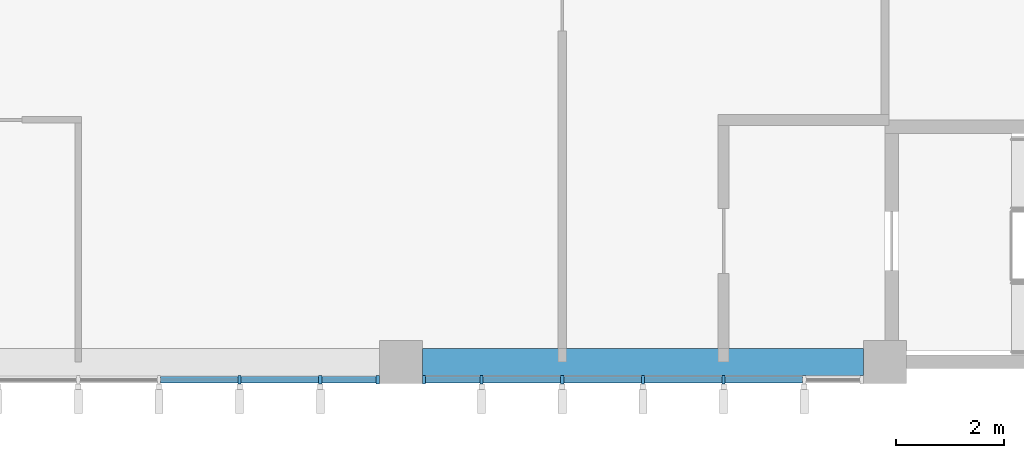
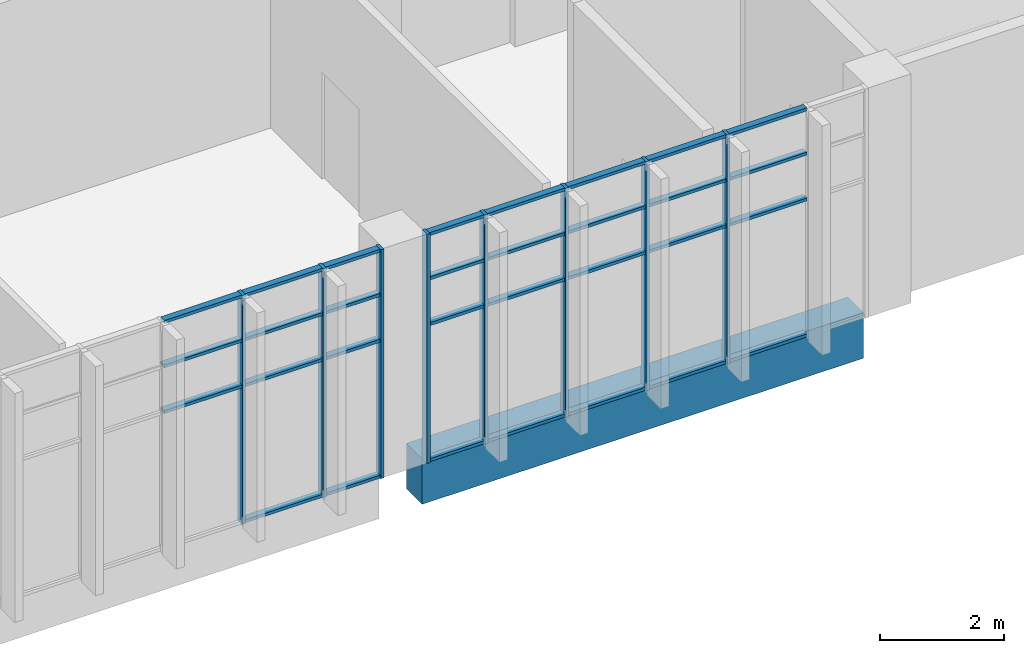
# One storey, part 20 of 43: 39 members, 1 beam, 2 elements without a shape of their own.
"""IFC4 building model written with IfcOpenShell, lengths in metres."""

from ifc_helpers import new_model, si_unit, direction, frame, origin, origin_2d, place, context, subcontext, project, spatial, rectangle, extrude, material, layer, layer_set, material_profile, profile_set, type_object, element, aggregate, save


model = new_model("IFC4")

# Units and contexts
model_context = context("Model", 3, precision=1e-05, world=origin(), true_north=direction((0.0, 1.0)))
body_context = subcontext(model_context, "Body", "Model", "MODEL_VIEW")
ifc_project = project(units=[si_unit("LENGTHUNIT", "METRE"), si_unit("AREAUNIT", "SQUARE_METRE"), si_unit("VOLUMEUNIT", "CUBIC_METRE"), si_unit("PLANEANGLEUNIT", "RADIAN"), si_unit("MASSUNIT", "GRAM", prefix="KILO")], contexts=[model_context])

# Site, building, storey
site_placement = place(None, origin())
site = spatial("IfcSite", under=ifc_project, at=site_placement, CompositionType="ELEMENT")
building_placement = place(site_placement, origin())
building = spatial("IfcBuilding", under=site, at=building_placement, Name="Guidao Yard Department Store", CompositionType="ELEMENT")
storey_placement = place(building_placement, frame((0.0, 0.0, 28.5)))
storey = spatial("IfcBuildingStorey", under=building, at=storey_placement, Name="L06", CompositionType="ELEMENT", Elevation=28.5)

# Curtain wall, members
ifc_material_1 = material(Name="Aluminium and glass", Category="aluminium")
ifc_layer = layer(ifc_material_1, 0.159912109375)
ifc_layer_set = layer_set([ifc_layer], Name="Unitised curtain wall CW4 1500 module")
curtain_wall_type = type_object("IfcCurtainWallType", Name="Unitised curtain wall CW4 1500 module", PredefinedType="NOTDEFINED", material=ifc_layer_set)
curtain_wall_1_placement = place(storey_placement, origin())
curtain_wall_1 = element("IfcCurtainWall", 1, at=curtain_wall_1_placement, inside=storey, type_object=curtain_wall_type, Name="Unitised curtain wall", PredefinedType="NOTDEFINED")
ifc_material_2 = material(Name="Aluminium 6063-T5", Category="aluminium")
ifc_material_profile_1 = material_profile(ifc_material_2, rectangle(XDim=0.06005859375, YDim=0.159912109375, at=origin_2d()), Name="Mullion M1 60 x 160 aluminium pressure plate")
ifc_profile_set_1 = profile_set([ifc_material_profile_1], Name="Aluminium 6063-T5")
member_type_1 = type_object("IfcMemberType", Name="Mullion M1 60 x 160 aluminium pressure plate", PredefinedType="MULLION", material=ifc_profile_set_1)
member_1_placement = place(storey_placement, frame((150.0, -0.330078125, 0.0), z_axis=(0.0, 0.0, 1.0), x_axis=(-1.0, 0.0, 0.0)))
member_1 = element("IfcMember", 2, at=member_1_placement, type_object=member_type_1, Name="CW-OW-L06-03 mullion 5", PredefinedType="MULLION", context=body_context, shape_type="SweptSolid", body=[
    extrude(rectangle(XDim=0.06005859375, YDim=0.159912109375, at=origin_2d()), origin(), (0.0, 0.0, 1.0), 4.5),
])
member_2_placement = place(storey_placement, frame((151.5, -0.330078125, 0.0), z_axis=(0.0, 0.0, 1.0), x_axis=(-1.0, 0.0, 0.0)))
member_2 = element("IfcMember", 3, at=member_2_placement, type_object=member_type_1, Name="CW-OW-L06-03 mullion 6", PredefinedType="MULLION", context=body_context, shape_type="SweptSolid", body=[
    extrude(rectangle(XDim=0.06005859375, YDim=0.159912109375, at=origin_2d()), origin(), (0.0, 0.0, 1.0), 4.5),
])
member_3_placement = place(storey_placement, frame((152.570068359375, -0.330078125, 0.0), z_axis=(0.0, 0.0, 1.0), x_axis=(-1.0, 0.0, 0.0)))
member_3 = element("IfcMember", 4, at=member_3_placement, type_object=member_type_1, Name="CW-OW-L06-03 mullion 7", PredefinedType="MULLION", context=body_context, shape_type="SweptSolid", body=[
    extrude(rectangle(XDim=0.06005859375, YDim=0.159912109375, at=origin_2d()), origin(), (0.0, 0.0, 1.0), 4.5),
])

curtain_wall_2_placement = place(storey_placement, origin())
curtain_wall_2 = element("IfcCurtainWall", 5, at=curtain_wall_2_placement, inside=storey, type_object=curtain_wall_type, Name="Unitised curtain wall", PredefinedType="NOTDEFINED")
member_4_placement = place(storey_placement, frame((153.429931640625, -0.330078125, 0.0), z_axis=(0.0, 0.0, 1.0), x_axis=(-1.0, 0.0, 0.0)))
member_4 = element("IfcMember", 6, at=member_4_placement, type_object=member_type_1, Name="CW-OW-L06-04 mullion 1", PredefinedType="MULLION", context=body_context, shape_type="SweptSolid", body=[
    extrude(rectangle(XDim=0.06005859375, YDim=0.159912109375, at=origin_2d()), origin(), (0.0, 0.0, 1.0), 4.5),
])
member_5_placement = place(storey_placement, frame((154.5, -0.330078125, 0.0), z_axis=(0.0, 0.0, 1.0), x_axis=(-1.0, 0.0, 0.0)))
member_5 = element("IfcMember", 7, at=member_5_placement, type_object=member_type_1, Name="CW-OW-L06-04 mullion 2", PredefinedType="MULLION", context=body_context, shape_type="SweptSolid", body=[
    extrude(rectangle(XDim=0.06005859375, YDim=0.159912109375, at=origin_2d()), origin(), (0.0, 0.0, 1.0), 4.5),
])
member_6_placement = place(storey_placement, frame((156.0, -0.330078125, 0.0), z_axis=(0.0, 0.0, 1.0), x_axis=(-1.0, 0.0, 0.0)))
member_6 = element("IfcMember", 8, at=member_6_placement, type_object=member_type_1, Name="CW-OW-L06-04 mullion 3", PredefinedType="MULLION", context=body_context, shape_type="SweptSolid", body=[
    extrude(rectangle(XDim=0.06005859375, YDim=0.159912109375, at=origin_2d()), origin(), (0.0, 0.0, 1.0), 4.5),
])
member_7_placement = place(storey_placement, frame((157.5, -0.330078125, 0.0), z_axis=(0.0, 0.0, 1.0), x_axis=(-1.0, 0.0, 0.0)))
member_7 = element("IfcMember", 9, at=member_7_placement, type_object=member_type_1, Name="CW-OW-L06-04 mullion 4", PredefinedType="MULLION", context=body_context, shape_type="SweptSolid", body=[
    extrude(rectangle(XDim=0.06005859375, YDim=0.159912109375, at=origin_2d()), origin(), (0.0, 0.0, 1.0), 4.5),
])
member_8_placement = place(storey_placement, frame((159.0, -0.330078125, 0.0), z_axis=(0.0, 0.0, 1.0), x_axis=(-1.0, 0.0, 0.0)))
member_8 = element("IfcMember", 10, at=member_8_placement, type_object=member_type_1, Name="CW-OW-L06-04 mullion 5", PredefinedType="MULLION", context=body_context, shape_type="SweptSolid", body=[
    extrude(rectangle(XDim=0.06005859375, YDim=0.159912109375, at=origin_2d()), origin(), (0.0, 0.0, 1.0), 4.5),
])

# Beam
ifc_material_3 = material(Name="Concrete C40", Category="concrete")
ifc_material_profile_2 = material_profile(ifc_material_3, rectangle(XDim=0.5, YDim=0.89990234375, at=origin_2d()), Name="Spandrel beam 500 x 900 C40")
ifc_profile_set_2 = profile_set([ifc_material_profile_2], Name="Concrete C40")
beam_type = type_object("IfcBeamType", Name="Spandrel beam 500 x 900 C40", PredefinedType="SPANDREL", material=ifc_profile_set_2)
beam_placement = place(storey_placement, frame((153.39990234375, 0.0, -0.449951171875), z_axis=(1.0, 0.0, 0.0), x_axis=(0.0, 1.0, 0.0)))
element("IfcBeam", 11, at=beam_placement, inside=storey, type_object=beam_type, Name="Beam FB03", PredefinedType="SPANDREL", context=body_context, shape_type="SweptSolid", body=[
    extrude(rectangle(XDim=0.5, YDim=0.89990234375, at=origin_2d()), origin(), (0.0, 0.0, 1.0), 8.2001953125),
])

# Member
ifc_material_4 = material(Name="Aluminium 6063-T5", Category="aluminium")
ifc_material_profile_3 = material_profile(ifc_material_4, rectangle(XDim=0.1201171875, YDim=0.06005859375, at=origin_2d()), Name="Transom T1 60 x 120 aluminium pressure plate")
ifc_profile_set_3 = profile_set([ifc_material_profile_3], Name="Aluminium 6063-T5")
member_type_2 = type_object("IfcMemberType", Name="Transom T1 60 x 120 aluminium pressure plate", PredefinedType="USERDEFINED", material=ifc_profile_set_3)
member_9_placement = place(storey_placement, frame((149.969970703125, -0.330078125, 2.699951171875), z_axis=(-1.0, 0.0, 0.0), x_axis=(0.0, -1.0, 0.0)))
member_9 = element("IfcMember", 12, at=member_9_placement, type_object=member_type_2, Name="CW-OW-L06-03 transom 4.2", ObjectType="TRANSOM", PredefinedType="USERDEFINED", context=body_context, shape_type="SweptSolid", body=[
    extrude(rectangle(XDim=0.1201171875, YDim=0.06005859375, at=origin_2d()), origin(), (0.0, 0.0, 1.0), 1.43994140625),
])

member_10_placement = place(storey_placement, frame((149.969970703125, -0.330078125, 3.60009765625), z_axis=(-1.0, 0.0, 0.0), x_axis=(0.0, -1.0, 0.0)))
member_10 = element("IfcMember", 13, at=member_10_placement, type_object=member_type_2, Name="CW-OW-L06-03 transom 4.3", ObjectType="TRANSOM", PredefinedType="USERDEFINED", context=body_context, shape_type="SweptSolid", body=[
    extrude(rectangle(XDim=0.1201171875, YDim=0.06005859375, at=origin_2d()), origin(), (0.0, 0.0, 1.0), 1.43994140625),
])

member_11_placement = place(storey_placement, frame((149.969970703125, -0.330078125, 4.469970703125), z_axis=(-1.0, 0.0, 0.0), x_axis=(0.0, -1.0, 0.0)))
member_11 = element("IfcMember", 14, at=member_11_placement, type_object=member_type_2, Name="CW-OW-L06-03 transom 4.4", ObjectType="TRANSOM", PredefinedType="USERDEFINED", context=body_context, shape_type="SweptSolid", body=[
    extrude(rectangle(XDim=0.1201171875, YDim=0.06005859375, at=origin_2d()), origin(), (0.0, 0.0, 1.0), 1.43994140625),
])

member_12_placement = place(storey_placement, frame((151.469970703125, -0.330078125, 0.030029296875), z_axis=(-1.0, 0.0, 0.0), x_axis=(0.0, -1.0, 0.0)))
member_12 = element("IfcMember", 15, at=member_12_placement, type_object=member_type_2, Name="CW-OW-L06-03 transom 5.1", ObjectType="TRANSOM", PredefinedType="USERDEFINED", context=body_context, shape_type="SweptSolid", body=[
    extrude(rectangle(XDim=0.1201171875, YDim=0.06005859375, at=origin_2d()), origin(), (0.0, 0.0, 1.0), 1.43994140625),
])

member_13_placement = place(storey_placement, frame((151.469970703125, -0.330078125, 2.699951171875), z_axis=(-1.0, 0.0, 0.0), x_axis=(0.0, -1.0, 0.0)))
member_13 = element("IfcMember", 16, at=member_13_placement, type_object=member_type_2, Name="CW-OW-L06-03 transom 5.2", ObjectType="TRANSOM", PredefinedType="USERDEFINED", context=body_context, shape_type="SweptSolid", body=[
    extrude(rectangle(XDim=0.1201171875, YDim=0.06005859375, at=origin_2d()), origin(), (0.0, 0.0, 1.0), 1.43994140625),
])

member_14_placement = place(storey_placement, frame((151.469970703125, -0.330078125, 3.60009765625), z_axis=(-1.0, 0.0, 0.0), x_axis=(0.0, -1.0, 0.0)))
member_14 = element("IfcMember", 17, at=member_14_placement, type_object=member_type_2, Name="CW-OW-L06-03 transom 5.3", ObjectType="TRANSOM", PredefinedType="USERDEFINED", context=body_context, shape_type="SweptSolid", body=[
    extrude(rectangle(XDim=0.1201171875, YDim=0.06005859375, at=origin_2d()), origin(), (0.0, 0.0, 1.0), 1.43994140625),
])

member_15_placement = place(storey_placement, frame((151.469970703125, -0.330078125, 4.469970703125), z_axis=(-1.0, 0.0, 0.0), x_axis=(0.0, -1.0, 0.0)))
member_15 = element("IfcMember", 18, at=member_15_placement, type_object=member_type_2, Name="CW-OW-L06-03 transom 5.4", ObjectType="TRANSOM", PredefinedType="USERDEFINED", context=body_context, shape_type="SweptSolid", body=[
    extrude(rectangle(XDim=0.1201171875, YDim=0.06005859375, at=origin_2d()), origin(), (0.0, 0.0, 1.0), 1.43994140625),
])

member_16_placement = place(storey_placement, frame((152.5400390625, -0.330078125, 0.030029296875), z_axis=(-1.0, 0.0, 0.0), x_axis=(0.0, -1.0, 0.0)))
member_16 = element("IfcMember", 19, at=member_16_placement, type_object=member_type_2, Name="CW-OW-L06-03 transom 6.1", ObjectType="TRANSOM", PredefinedType="USERDEFINED", context=body_context, shape_type="SweptSolid", body=[
    extrude(rectangle(XDim=0.1201171875, YDim=0.06005859375, at=origin_2d()), origin(), (0.0, 0.0, 1.0), 1.010009765625),
])

member_17_placement = place(storey_placement, frame((152.5400390625, -0.330078125, 2.699951171875), z_axis=(-1.0, 0.0, 0.0), x_axis=(0.0, -1.0, 0.0)))
member_17 = element("IfcMember", 20, at=member_17_placement, type_object=member_type_2, Name="CW-OW-L06-03 transom 6.2", ObjectType="TRANSOM", PredefinedType="USERDEFINED", context=body_context, shape_type="SweptSolid", body=[
    extrude(rectangle(XDim=0.1201171875, YDim=0.06005859375, at=origin_2d()), origin(), (0.0, 0.0, 1.0), 1.010009765625),
])

member_18_placement = place(storey_placement, frame((152.5400390625, -0.330078125, 3.60009765625), z_axis=(-1.0, 0.0, 0.0), x_axis=(0.0, -1.0, 0.0)))
member_18 = element("IfcMember", 21, at=member_18_placement, type_object=member_type_2, Name="CW-OW-L06-03 transom 6.3", ObjectType="TRANSOM", PredefinedType="USERDEFINED", context=body_context, shape_type="SweptSolid", body=[
    extrude(rectangle(XDim=0.1201171875, YDim=0.06005859375, at=origin_2d()), origin(), (0.0, 0.0, 1.0), 1.010009765625),
])

member_19_placement = place(storey_placement, frame((152.5400390625, -0.330078125, 4.469970703125), z_axis=(-1.0, 0.0, 0.0), x_axis=(0.0, -1.0, 0.0)))
member_19 = element("IfcMember", 22, at=member_19_placement, type_object=member_type_2, Name="CW-OW-L06-03 transom 6.4", ObjectType="TRANSOM", PredefinedType="USERDEFINED", context=body_context, shape_type="SweptSolid", body=[
    extrude(rectangle(XDim=0.1201171875, YDim=0.06005859375, at=origin_2d()), origin(), (0.0, 0.0, 1.0), 1.010009765625),
])

aggregate(curtain_wall_1, [member_1, member_2, member_3, member_9, member_10, member_11, member_12, member_13, member_14, member_15, member_16, member_17, member_18, member_19])

member_20_placement = place(storey_placement, frame((154.469970703125, -0.330078125, 0.030029296875), z_axis=(-1.0, 0.0, 0.0), x_axis=(0.0, -1.0, 0.0)))
member_20 = element("IfcMember", 23, at=member_20_placement, type_object=member_type_2, Name="CW-OW-L06-04 transom 1.1", ObjectType="TRANSOM", PredefinedType="USERDEFINED", context=body_context, shape_type="SweptSolid", body=[
    extrude(rectangle(XDim=0.1201171875, YDim=0.06005859375, at=origin_2d()), origin(), (0.0, 0.0, 1.0), 1.010009765625),
])

member_21_placement = place(storey_placement, frame((154.469970703125, -0.330078125, 2.699951171875), z_axis=(-1.0, 0.0, 0.0), x_axis=(0.0, -1.0, 0.0)))
member_21 = element("IfcMember", 24, at=member_21_placement, type_object=member_type_2, Name="CW-OW-L06-04 transom 1.2", ObjectType="TRANSOM", PredefinedType="USERDEFINED", context=body_context, shape_type="SweptSolid", body=[
    extrude(rectangle(XDim=0.1201171875, YDim=0.06005859375, at=origin_2d()), origin(), (0.0, 0.0, 1.0), 1.010009765625),
])

member_22_placement = place(storey_placement, frame((154.469970703125, -0.330078125, 3.60009765625), z_axis=(-1.0, 0.0, 0.0), x_axis=(0.0, -1.0, 0.0)))
member_22 = element("IfcMember", 25, at=member_22_placement, type_object=member_type_2, Name="CW-OW-L06-04 transom 1.3", ObjectType="TRANSOM", PredefinedType="USERDEFINED", context=body_context, shape_type="SweptSolid", body=[
    extrude(rectangle(XDim=0.1201171875, YDim=0.06005859375, at=origin_2d()), origin(), (0.0, 0.0, 1.0), 1.010009765625),
])

member_23_placement = place(storey_placement, frame((154.469970703125, -0.330078125, 4.469970703125), z_axis=(-1.0, 0.0, 0.0), x_axis=(0.0, -1.0, 0.0)))
member_23 = element("IfcMember", 26, at=member_23_placement, type_object=member_type_2, Name="CW-OW-L06-04 transom 1.4", ObjectType="TRANSOM", PredefinedType="USERDEFINED", context=body_context, shape_type="SweptSolid", body=[
    extrude(rectangle(XDim=0.1201171875, YDim=0.06005859375, at=origin_2d()), origin(), (0.0, 0.0, 1.0), 1.010009765625),
])

member_24_placement = place(storey_placement, frame((155.969970703125, -0.330078125, 0.030029296875), z_axis=(-1.0, 0.0, 0.0), x_axis=(0.0, -1.0, 0.0)))
member_24 = element("IfcMember", 27, at=member_24_placement, type_object=member_type_2, Name="CW-OW-L06-04 transom 2.1", ObjectType="TRANSOM", PredefinedType="USERDEFINED", context=body_context, shape_type="SweptSolid", body=[
    extrude(rectangle(XDim=0.1201171875, YDim=0.06005859375, at=origin_2d()), origin(), (0.0, 0.0, 1.0), 1.43994140625),
])

member_25_placement = place(storey_placement, frame((155.969970703125, -0.330078125, 2.699951171875), z_axis=(-1.0, 0.0, 0.0), x_axis=(0.0, -1.0, 0.0)))
member_25 = element("IfcMember", 28, at=member_25_placement, type_object=member_type_2, Name="CW-OW-L06-04 transom 2.2", ObjectType="TRANSOM", PredefinedType="USERDEFINED", context=body_context, shape_type="SweptSolid", body=[
    extrude(rectangle(XDim=0.1201171875, YDim=0.06005859375, at=origin_2d()), origin(), (0.0, 0.0, 1.0), 1.43994140625),
])

member_26_placement = place(storey_placement, frame((155.969970703125, -0.330078125, 3.60009765625), z_axis=(-1.0, 0.0, 0.0), x_axis=(0.0, -1.0, 0.0)))
member_26 = element("IfcMember", 29, at=member_26_placement, type_object=member_type_2, Name="CW-OW-L06-04 transom 2.3", ObjectType="TRANSOM", PredefinedType="USERDEFINED", context=body_context, shape_type="SweptSolid", body=[
    extrude(rectangle(XDim=0.1201171875, YDim=0.06005859375, at=origin_2d()), origin(), (0.0, 0.0, 1.0), 1.43994140625),
])

member_27_placement = place(storey_placement, frame((155.969970703125, -0.330078125, 4.469970703125), z_axis=(-1.0, 0.0, 0.0), x_axis=(0.0, -1.0, 0.0)))
member_27 = element("IfcMember", 30, at=member_27_placement, type_object=member_type_2, Name="CW-OW-L06-04 transom 2.4", ObjectType="TRANSOM", PredefinedType="USERDEFINED", context=body_context, shape_type="SweptSolid", body=[
    extrude(rectangle(XDim=0.1201171875, YDim=0.06005859375, at=origin_2d()), origin(), (0.0, 0.0, 1.0), 1.43994140625),
])

member_28_placement = place(storey_placement, frame((157.469970703125, -0.330078125, 0.030029296875), z_axis=(-1.0, 0.0, 0.0), x_axis=(0.0, -1.0, 0.0)))
member_28 = element("IfcMember", 31, at=member_28_placement, type_object=member_type_2, Name="CW-OW-L06-04 transom 3.1", ObjectType="TRANSOM", PredefinedType="USERDEFINED", context=body_context, shape_type="SweptSolid", body=[
    extrude(rectangle(XDim=0.1201171875, YDim=0.06005859375, at=origin_2d()), origin(), (0.0, 0.0, 1.0), 1.43994140625),
])

member_29_placement = place(storey_placement, frame((157.469970703125, -0.330078125, 2.699951171875), z_axis=(-1.0, 0.0, 0.0), x_axis=(0.0, -1.0, 0.0)))
member_29 = element("IfcMember", 32, at=member_29_placement, type_object=member_type_2, Name="CW-OW-L06-04 transom 3.2", ObjectType="TRANSOM", PredefinedType="USERDEFINED", context=body_context, shape_type="SweptSolid", body=[
    extrude(rectangle(XDim=0.1201171875, YDim=0.06005859375, at=origin_2d()), origin(), (0.0, 0.0, 1.0), 1.43994140625),
])

member_30_placement = place(storey_placement, frame((157.469970703125, -0.330078125, 3.60009765625), z_axis=(-1.0, 0.0, 0.0), x_axis=(0.0, -1.0, 0.0)))
member_30 = element("IfcMember", 33, at=member_30_placement, type_object=member_type_2, Name="CW-OW-L06-04 transom 3.3", ObjectType="TRANSOM", PredefinedType="USERDEFINED", context=body_context, shape_type="SweptSolid", body=[
    extrude(rectangle(XDim=0.1201171875, YDim=0.06005859375, at=origin_2d()), origin(), (0.0, 0.0, 1.0), 1.43994140625),
])

member_31_placement = place(storey_placement, frame((157.469970703125, -0.330078125, 4.469970703125), z_axis=(-1.0, 0.0, 0.0), x_axis=(0.0, -1.0, 0.0)))
member_31 = element("IfcMember", 34, at=member_31_placement, type_object=member_type_2, Name="CW-OW-L06-04 transom 3.4", ObjectType="TRANSOM", PredefinedType="USERDEFINED", context=body_context, shape_type="SweptSolid", body=[
    extrude(rectangle(XDim=0.1201171875, YDim=0.06005859375, at=origin_2d()), origin(), (0.0, 0.0, 1.0), 1.43994140625),
])

member_32_placement = place(storey_placement, frame((158.969970703125, -0.330078125, 0.030029296875), z_axis=(-1.0, 0.0, 0.0), x_axis=(0.0, -1.0, 0.0)))
member_32 = element("IfcMember", 35, at=member_32_placement, type_object=member_type_2, Name="CW-OW-L06-04 transom 4.1", ObjectType="TRANSOM", PredefinedType="USERDEFINED", context=body_context, shape_type="SweptSolid", body=[
    extrude(rectangle(XDim=0.1201171875, YDim=0.06005859375, at=origin_2d()), origin(), (0.0, 0.0, 1.0), 1.43994140625),
])

member_33_placement = place(storey_placement, frame((158.969970703125, -0.330078125, 2.699951171875), z_axis=(-1.0, 0.0, 0.0), x_axis=(0.0, -1.0, 0.0)))
member_33 = element("IfcMember", 36, at=member_33_placement, type_object=member_type_2, Name="CW-OW-L06-04 transom 4.2", ObjectType="TRANSOM", PredefinedType="USERDEFINED", context=body_context, shape_type="SweptSolid", body=[
    extrude(rectangle(XDim=0.1201171875, YDim=0.06005859375, at=origin_2d()), origin(), (0.0, 0.0, 1.0), 1.43994140625),
])

member_34_placement = place(storey_placement, frame((158.969970703125, -0.330078125, 3.60009765625), z_axis=(-1.0, 0.0, 0.0), x_axis=(0.0, -1.0, 0.0)))
member_34 = element("IfcMember", 37, at=member_34_placement, type_object=member_type_2, Name="CW-OW-L06-04 transom 4.3", ObjectType="TRANSOM", PredefinedType="USERDEFINED", context=body_context, shape_type="SweptSolid", body=[
    extrude(rectangle(XDim=0.1201171875, YDim=0.06005859375, at=origin_2d()), origin(), (0.0, 0.0, 1.0), 1.43994140625),
])

member_35_placement = place(storey_placement, frame((158.969970703125, -0.330078125, 4.469970703125), z_axis=(-1.0, 0.0, 0.0), x_axis=(0.0, -1.0, 0.0)))
member_35 = element("IfcMember", 38, at=member_35_placement, type_object=member_type_2, Name="CW-OW-L06-04 transom 4.4", ObjectType="TRANSOM", PredefinedType="USERDEFINED", context=body_context, shape_type="SweptSolid", body=[
    extrude(rectangle(XDim=0.1201171875, YDim=0.06005859375, at=origin_2d()), origin(), (0.0, 0.0, 1.0), 1.43994140625),
])

member_36_placement = place(storey_placement, frame((160.469970703125, -0.330078125, 0.030029296875), z_axis=(-1.0, 0.0, 0.0), x_axis=(0.0, -1.0, 0.0)))
member_36 = element("IfcMember", 39, at=member_36_placement, type_object=member_type_2, Name="CW-OW-L06-04 transom 5.1", ObjectType="TRANSOM", PredefinedType="USERDEFINED", context=body_context, shape_type="SweptSolid", body=[
    extrude(rectangle(XDim=0.1201171875, YDim=0.06005859375, at=origin_2d()), origin(), (0.0, 0.0, 1.0), 1.43994140625),
])

member_37_placement = place(storey_placement, frame((160.469970703125, -0.330078125, 2.699951171875), z_axis=(-1.0, 0.0, 0.0), x_axis=(0.0, -1.0, 0.0)))
member_37 = element("IfcMember", 40, at=member_37_placement, type_object=member_type_2, Name="CW-OW-L06-04 transom 5.2", ObjectType="TRANSOM", PredefinedType="USERDEFINED", context=body_context, shape_type="SweptSolid", body=[
    extrude(rectangle(XDim=0.1201171875, YDim=0.06005859375, at=origin_2d()), origin(), (0.0, 0.0, 1.0), 1.43994140625),
])

member_38_placement = place(storey_placement, frame((160.469970703125, -0.330078125, 3.60009765625), z_axis=(-1.0, 0.0, 0.0), x_axis=(0.0, -1.0, 0.0)))
member_38 = element("IfcMember", 41, at=member_38_placement, type_object=member_type_2, Name="CW-OW-L06-04 transom 5.3", ObjectType="TRANSOM", PredefinedType="USERDEFINED", context=body_context, shape_type="SweptSolid", body=[
    extrude(rectangle(XDim=0.1201171875, YDim=0.06005859375, at=origin_2d()), origin(), (0.0, 0.0, 1.0), 1.43994140625),
])

member_39_placement = place(storey_placement, frame((160.469970703125, -0.330078125, 4.469970703125), z_axis=(-1.0, 0.0, 0.0), x_axis=(0.0, -1.0, 0.0)))
member_39 = element("IfcMember", 42, at=member_39_placement, type_object=member_type_2, Name="CW-OW-L06-04 transom 5.4", ObjectType="TRANSOM", PredefinedType="USERDEFINED", context=body_context, shape_type="SweptSolid", body=[
    extrude(rectangle(XDim=0.1201171875, YDim=0.06005859375, at=origin_2d()), origin(), (0.0, 0.0, 1.0), 1.43994140625),
])

aggregate(curtain_wall_2, [member_4, member_5, member_6, member_7, member_8, member_20, member_21, member_22, member_23, member_24, member_25, member_26, member_27, member_28, member_29, member_30, member_31, member_32, member_33, member_34, member_35, member_36, member_37, member_38, member_39])

save(model, "model.ifc")
